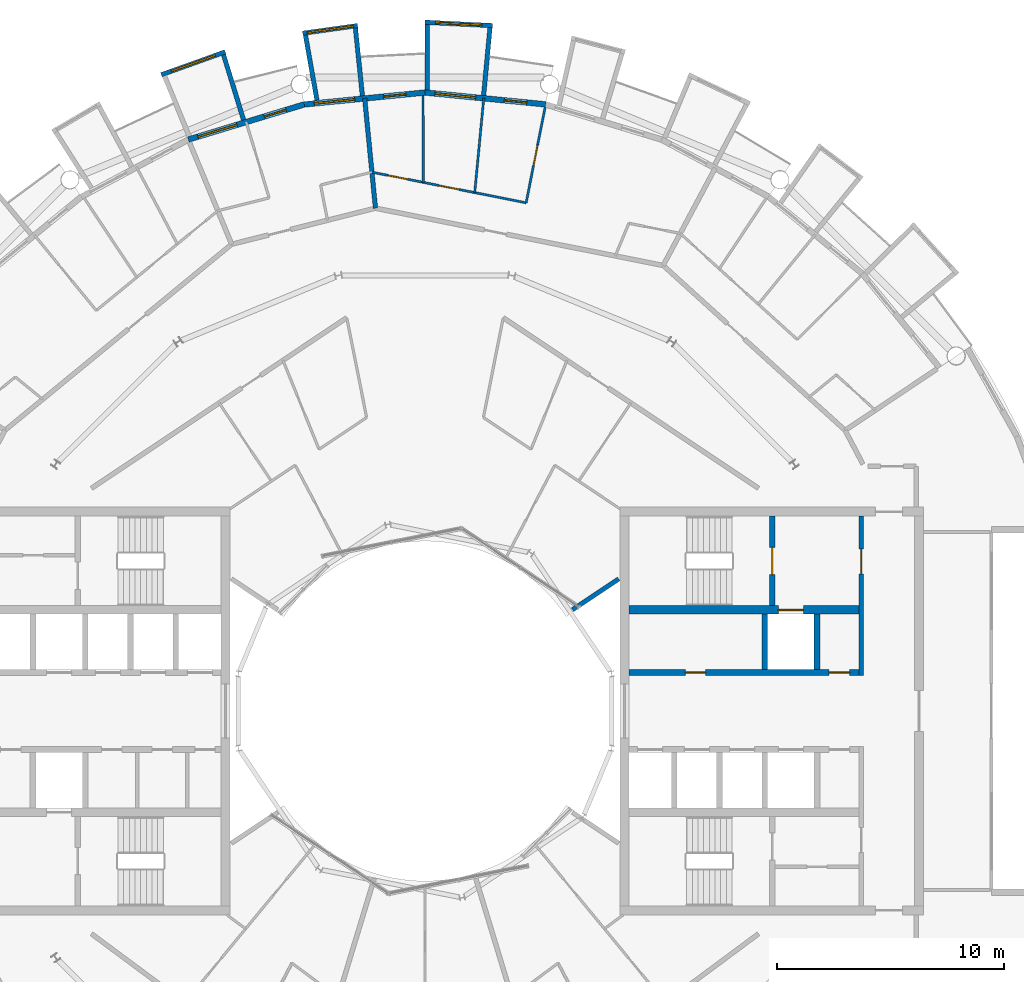
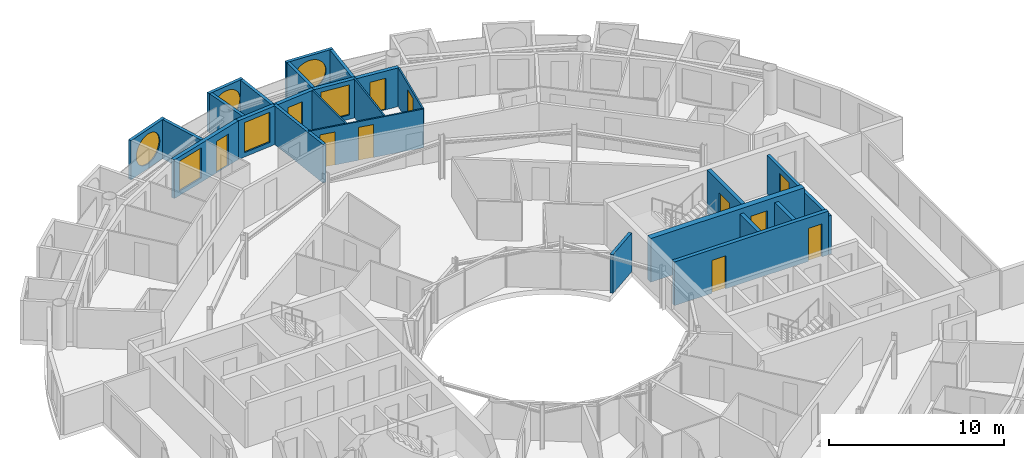
# One storey, part 22 of 28: 23 walls, 11 doors, 6 windows, 17 openings.
"""IFC4 building model written with IfcOpenShell, lengths in metres."""

from ifc_helpers import new_model, si_unit, direction, frame, frame_2d, origin, place, context, subcontext, project, spatial, rectangle, circle, extrude, material, layer, layer_set, type_object, element, fill, save


model = new_model("IFC4")

# Units and contexts
model_context = context("Model", 3, precision=1e-05, world=origin(), true_north=direction((0.0, 1.0)))
body_context = subcontext(model_context, "Body", "Model", "MODEL_VIEW")
ifc_project = project(units=[si_unit("LENGTHUNIT", "METRE"), si_unit("AREAUNIT", "SQUARE_METRE"), si_unit("VOLUMEUNIT", "CUBIC_METRE"), si_unit("PLANEANGLEUNIT", "RADIAN"), si_unit("MASSUNIT", "GRAM", prefix="KILO")], contexts=[model_context])

# Site, building, storey
site_placement = place(None, origin())
site = spatial("IfcSite", under=ifc_project, at=site_placement, CompositionType="ELEMENT")
building_placement = place(site_placement, origin())
building = spatial("IfcBuilding", under=site, at=building_placement, Name="Maasbend Ring Residences", CompositionType="ELEMENT")
storey_placement = place(building_placement, frame((0.0, 0.0, 227.949951171875)))
storey = spatial("IfcBuildingStorey", under=building, at=storey_placement, Name="L65", CompositionType="ELEMENT", Elevation=227.949951171875)

# Wall, openings, doors
ifc_material_1 = material(Name="Concrete C50/60", Category="concrete")
ifc_layer_1 = layer(ifc_material_1, 0.25)
ifc_layer_set_1 = layer_set([ifc_layer_1], Name="Concrete C50/60")
wall_type_1 = type_object("IfcWallType", Name="CORE WALL 250 C50/60", PredefinedType="SHEAR", material=ifc_layer_set_1)
wall_1_placement = place(storey_placement, frame((9.0, 1.699951171875, 0.0), z_axis=(0.0, 0.0, 1.0), x_axis=(1.0, 0.0, 0.0)))
wall_1 = element("IfcWall", 1, at=wall_1_placement, inside=storey, type_object=wall_type_1, Name="L65 core E wall SPN", PredefinedType="SHEAR", context=body_context, shape_type="SweptSolid", body=[
    extrude(rectangle(XDim=10.14990234375, YDim=0.25, at=frame_2d((5.074951171875, 0.0))), origin(), (0.0, 0.0, 1.0), 3.050048828125),
])
opening_1_placement = place(wall_1_placement, frame((2.487548828125, 0.0, 0.0)))
opening_1 = element("IfcOpeningElement", 2, at=opening_1_placement, cuts=wall_1, Name="Opening D-E6506", PredefinedType="OPENING", context=body_context, shape_type="SweptSolid", body=[
    extrude(rectangle(XDim=0.89990234375, YDim=2.300048828125, at=frame_2d((0.449951171875, 1.14990234375))), frame((0.0, 0.135009765625, 0.0), z_axis=(0.0, -1.0, 0.0), x_axis=(1.0, 0.0, 0.0)), (0.0, 0.0, 1.0), 0.27001953125),
])
opening_2_placement = place(wall_1_placement, frame((8.83740234375, 0.0, 0.0)))
opening_2 = element("IfcOpeningElement", 3, at=opening_2_placement, cuts=wall_1, Name="Opening D-E6507", PredefinedType="OPENING", context=body_context, shape_type="SweptSolid", body=[
    extrude(rectangle(XDim=0.89990234375, YDim=2.300048828125, at=frame_2d((0.449951171875, 1.14990234375))), frame((0.0, 0.135009765625, 0.0), z_axis=(0.0, -1.0, 0.0), x_axis=(1.0, 0.0, 0.0)), (0.0, 0.0, 1.0), 0.27001953125),
])
ifc_material_2 = material(Name="Steel, powder coated", Category="steel")
door_type_1 = type_object("IfcDoorType", Name="ROOM DOOR 900 X 2300 FD30S", OperationType="NOTDEFINED", PredefinedType="DOOR", material=ifc_material_2)
door_1_placement = place(opening_1_placement, origin())
door_1 = element("IfcDoor", 4, at=door_1_placement, inside=storey, type_object=door_type_1, Name="Room door L65", OperationType="SINGLE_SWING_RIGHT", OverallHeight=2.300048828125, OverallWidth=0.89990234375, PredefinedType="DOOR", context=body_context, shape_type="SweptSolid", body=[
    extrude(rectangle(XDim=0.89990234375, YDim=2.300048828125, at=frame_2d((0.449951171875, 1.14990234375))), frame((0.0, 0.02490234375, 0.0), z_axis=(0.0, -1.0, 0.0), x_axis=(1.0, 0.0, 0.0)), (0.0, 0.0, 1.0), 0.050048828125),
])
fill(opening_1, door_1)
door_2_placement = place(opening_2_placement, origin())
door_2 = element("IfcDoor", 5, at=door_2_placement, inside=storey, type_object=door_type_1, Name="Room door L65", OperationType="SINGLE_SWING_LEFT", OverallHeight=2.300048828125, OverallWidth=0.89990234375, PredefinedType="DOOR", context=body_context, shape_type="SweptSolid", body=[
    extrude(rectangle(XDim=0.89990234375, YDim=2.300048828125, at=frame_2d((0.449951171875, 1.14990234375))), frame((0.0, 0.02490234375, 0.0), z_axis=(0.0, -1.0, 0.0), x_axis=(1.0, 0.0, 0.0)), (0.0, 0.0, 1.0), 0.050048828125),
])
fill(opening_2, door_2)

# Wall, opening, door
wall_2_placement = place(storey_placement, frame((15.324951171875, 4.64990234375, 0.0), z_axis=(0.0, 0.0, 1.0), x_axis=(0.0, 1.0, 0.0)))
wall_2 = element("IfcWall", 6, at=wall_2_placement, inside=storey, type_object=wall_type_1, Name="L65 core E wall STEN", PredefinedType="SHEAR", context=body_context, shape_type="SweptSolid", body=[
    extrude(rectangle(XDim=3.9501953125, YDim=0.25, at=frame_2d((1.97509765625, 0.0))), origin(), (0.0, 0.0, 1.0), 3.050048828125),
])
opening_3_placement = place(wall_2_placement, frame((1.375, 0.0, 0.0)))
opening_3 = element("IfcOpeningElement", 7, at=opening_3_placement, cuts=wall_2, Name="Opening D-E6510", PredefinedType="OPENING", context=body_context, shape_type="SweptSolid", body=[
    extrude(rectangle(XDim=1.199951171875, YDim=2.300048828125, at=frame_2d((0.60009765625, 1.14990234375))), frame((0.0, 0.135009765625, 0.0), z_axis=(0.0, -1.0, 0.0), x_axis=(1.0, 0.0, 0.0)), (0.0, 0.0, 1.0), 0.27001953125),
])
ifc_material_3 = material(Name="Steel, powder coated", Category="steel")
door_type_2 = type_object("IfcDoorType", Name="STAIR DOOR 1200 X 2300 FD60", OperationType="NOTDEFINED", PredefinedType="DOOR", material=ifc_material_3)
door_3_placement = place(opening_3_placement, origin())
door_3 = element("IfcDoor", 8, at=door_3_placement, inside=storey, type_object=door_type_2, Name="Stair door ST-E L65", OperationType="SINGLE_SWING_LEFT", OverallHeight=2.300048828125, OverallWidth=1.199951171875, PredefinedType="DOOR", context=body_context, shape_type="SweptSolid", body=[
    extrude(rectangle(XDim=1.199951171875, YDim=2.300048828125, at=frame_2d((0.60009765625, 1.14990234375))), frame((0.0, 0.02490234375, 0.0), z_axis=(0.0, -1.0, 0.0), x_axis=(1.0, 0.0, 0.0)), (0.0, 0.0, 1.0), 0.050048828125),
])
fill(opening_3, door_3)

ifc_material_4 = material(Name="Concrete C50/60", Category="concrete")
ifc_layer_2 = layer(ifc_material_4, 0.375)
ifc_layer_set_2 = layer_set([ifc_layer_2], Name="Concrete C50/60")
wall_type_2 = type_object("IfcWallType", Name="CORE WALL 375 C50/60", PredefinedType="SHEAR", material=ifc_layer_set_2)
wall_3_placement = place(storey_placement, frame((9.0, 4.46240234375, 0.0), z_axis=(0.0, 0.0, 1.0), x_axis=(1.0, 0.0, 0.0)))
wall_3 = element("IfcWall", 9, at=wall_3_placement, inside=storey, type_object=wall_type_2, Name="L65 core E wall BN", PredefinedType="SHEAR", context=body_context, shape_type="SweptSolid", body=[
    extrude(rectangle(XDim=10.14990234375, YDim=0.375, at=frame_2d((5.074951171875, 0.0))), origin(), (0.0, 0.0, 1.0), 3.050048828125),
])
opening_4_placement = place(wall_3_placement, frame((6.60009765625, 0.0, 0.0)))
opening_4 = element("IfcOpeningElement", 10, at=opening_4_placement, cuts=wall_3, Name="Opening LD-E6501", PredefinedType="OPENING", context=body_context, shape_type="SweptSolid", body=[
    extrude(rectangle(XDim=1.10009765625, YDim=2.300048828125, at=frame_2d((0.550048828125, 1.14990234375))), frame((0.0, 0.197509765625, 0.0), z_axis=(0.0, -1.0, 0.0), x_axis=(1.0, 0.0, 0.0)), (0.0, 0.0, 1.0), 0.39501953125),
])
ifc_material_5 = material(Name="Stainless steel 316", Category="steel")
door_type_3 = type_object("IfcDoorType", Name="LANDING DOOR 1100 X 2300 FD60", OperationType="DOUBLE_DOOR_SLIDING", PredefinedType="DOOR", material=ifc_material_5)
door_4_placement = place(opening_4_placement, origin())
door_4 = element("IfcDoor", 11, at=door_4_placement, inside=storey, type_object=door_type_3, Name="Landing door FF-E L65", OperationType="DOUBLE_DOOR_SLIDING", OverallHeight=2.300048828125, OverallWidth=1.10009765625, PredefinedType="DOOR", context=body_context, shape_type="SweptSolid", body=[
    extrude(rectangle(XDim=1.10009765625, YDim=2.300048828125, at=frame_2d((0.550048828125, 1.14990234375))), frame((0.0, 0.02490234375, 0.0), z_axis=(0.0, -1.0, 0.0), x_axis=(1.0, 0.0, 0.0)), (0.0, 0.0, 1.0), 0.050048828125),
])
fill(opening_4, door_4)

# Wall, opening, window
ifc_material_6 = material(Name="Pale anodised aluminium panel", Category="aluminium")
ifc_layer_3 = layer(ifc_material_6, 0.199951171875)
ifc_layer_set_3 = layer_set([ifc_layer_3], Name="EW-BOX")
wall_type_3 = type_object("IfcWallType", Name="EW-BOX", PredefinedType="SOLIDWALL", material=ifc_layer_set_3)
wall_4_placement = place(storey_placement, frame((2.985107421875, 30.2529296875, -0.030029296875), z_axis=(0.0, 0.0, 1.0), x_axis=(-0.998794083011, 0.049095618353, 0.0)))
wall_4 = element("IfcWall", 12, at=wall_4_placement, inside=storey, type_object=wall_type_3, Name="Box front N10", PredefinedType="SOLIDWALL", context=body_context, shape_type="SweptSolid", body=[
    extrude(rectangle(XDim=2.99365234375, YDim=0.199951171875, at=frame_2d((1.496826171875, 0.0))), origin(), (0.0, 0.0, 1.0), 2.72998046875),
])
opening_5_placement = place(wall_4_placement, frame((0.45654296875, 0.0, 0.330078125)))
opening_5 = element("IfcOpeningElement", 13, at=opening_5_placement, cuts=wall_4, Name="Opening W-RD", PredefinedType="OPENING", context=body_context, shape_type="SweptSolid", body=[
    extrude(circle(Radius=1.0400390625, at=frame_2d((1.0400390625, 1.0400390625))), frame((0.0, 0.10986328125, 0.0), z_axis=(0.0, -1.0, 0.0), x_axis=(1.0, 0.0, 0.0)), (0.0, 0.0, 1.0), 0.219970703125),
])
ifc_material_7 = material(Name="Aluminium and clear glass", Category="aluminium")
window_type_1 = type_object("IfcWindowType", Name="W-RD", PartitioningType="SINGLE_PANEL", PredefinedType="WINDOW", material=ifc_material_7)
window_1_placement = place(opening_5_placement, origin())
window_1 = element("IfcWindow", 14, at=window_1_placement, inside=storey, type_object=window_type_1, Name="Round window N10", OverallHeight=2.080078125, OverallWidth=2.080078125, PartitioningType="SINGLE_PANEL", PredefinedType="WINDOW", context=body_context, shape_type="SweptSolid", body=[
    extrude(circle(Radius=1.0400390625, at=frame_2d((1.0400390625, 1.0400390625))), frame((0.0, 0.030029296875, 0.0), z_axis=(0.0, -1.0, 0.0), x_axis=(1.0, 0.0, 0.0)), (0.0, 0.0, 1.0), 0.06005859375),
])
fill(opening_5, window_1)

# Walls
wall_5_placement = place(storey_placement, frame((2.5859375, 27.1708984375, -0.030029296875), z_axis=(0.0, 0.0, 1.0), x_axis=(0.094548432284, 0.995520262954, 0.0)))
element("IfcWall", 15, at=wall_5_placement, inside=storey, type_object=wall_type_3, Name="Box side wall N10 left", PredefinedType="SOLIDWALL", context=body_context, shape_type="SweptSolid", body=[
    extrude(rectangle(XDim=3.005615234375, YDim=0.199951171875, at=frame_2d((1.5029296875, 0.0))), origin(), (0.0, 0.0, 1.0), 2.72998046875),
])
wall_6_placement = place(storey_placement, frame((0.090087890625, 27.4169921875, -0.030029296875), z_axis=(0.0, 0.0, 1.0), x_axis=(0.00347308367, 0.999993968827, 0.0)))
element("IfcWall", 16, at=wall_6_placement, inside=storey, type_object=wall_type_3, Name="Box side wall N10 right", PredefinedType="SOLIDWALL", context=body_context, shape_type="SweptSolid", body=[
    extrude(rectangle(XDim=2.882080078125, YDim=0.199951171875, at=frame_2d((1.44091796875, 0.0))), origin(), (0.0, 0.0, 1.0), 2.72998046875),
])

# Wall, opening, window
wall_7_placement = place(storey_placement, frame((-2.97607421875, 30.25390625, -0.030029296875), z_axis=(0.0, 0.0, 1.0), x_axis=(-0.990462016113, -0.137786046596, 0.0)))
wall_7 = element("IfcWall", 17, at=wall_7_placement, inside=storey, type_object=wall_type_3, Name="Box front N12", PredefinedType="SOLIDWALL", context=body_context, shape_type="SweptSolid", body=[
    extrude(rectangle(XDim=2.4453125, YDim=0.199951171875, at=frame_2d((1.22265625, 0.0))), origin(), (0.0, 0.0, 1.0), 2.72998046875),
])
opening_6_placement = place(wall_7_placement, frame((0.182861328125, 0.0, 0.330078125)))
opening_6 = element("IfcOpeningElement", 18, at=opening_6_placement, cuts=wall_7, Name="Opening W-RD", PredefinedType="OPENING", context=body_context, shape_type="SweptSolid", body=[
    extrude(circle(Radius=1.0400390625, at=frame_2d((1.0400390625, 1.0400390625))), frame((0.0, 0.10986328125, 0.0), z_axis=(0.0, -1.0, 0.0), x_axis=(1.0, 0.0, 0.0)), (0.0, 0.0, 1.0), 0.219970703125),
])
window_2_placement = place(opening_6_placement, origin())
window_2 = element("IfcWindow", 19, at=window_2_placement, inside=storey, type_object=window_type_1, Name="Round window N12", OverallHeight=2.080078125, OverallWidth=2.080078125, PartitioningType="SINGLE_PANEL", PredefinedType="WINDOW", context=body_context, shape_type="SweptSolid", body=[
    extrude(circle(Radius=1.0400390625, at=frame_2d((1.0400390625, 1.0400390625))), frame((0.0, 0.030029296875, 0.0), z_axis=(0.0, -1.0, 0.0), x_axis=(1.0, 0.0, 0.0)), (0.0, 0.0, 1.0), 0.06005859375),
])
fill(opening_6, window_2)

# Walls
wall_8_placement = place(storey_placement, frame((-2.763916015625, 27.153076171875, -0.030029296875), z_axis=(0.0, 0.0, 1.0), x_axis=(-0.101505487237, 0.994834979311, 0.0)))
element("IfcWall", 20, at=wall_8_placement, inside=storey, type_object=wall_type_3, Name="Box side wall N12 left", PredefinedType="SOLIDWALL", context=body_context, shape_type="SweptSolid", body=[
    extrude(rectangle(XDim=3.006591796875, YDim=0.199951171875, at=frame_2d((1.50341796875, 0.0))), origin(), (0.0, 0.0, 1.0), 2.72998046875),
])
wall_9_placement = place(storey_placement, frame((-4.76904296875, 26.9560546875, -0.030029296875), z_axis=(0.0, 0.0, 1.0), x_axis=(-0.174056778901, 0.984735618183, 0.0)))
element("IfcWall", 21, at=wall_9_placement, inside=storey, type_object=wall_type_3, Name="Box side wall N12 right", PredefinedType="SOLIDWALL", context=body_context, shape_type="SweptSolid", body=[
    extrude(rectangle(XDim=2.924560546875, YDim=0.199951171875, at=frame_2d((1.46240234375, 0.0))), origin(), (0.0, 0.0, 1.0), 2.72998046875),
])

# Wall, opening, window
wall_10_placement = place(storey_placement, frame((-8.820068359375, 29.093017578125, -0.030029296875), z_axis=(0.0, 0.0, 1.0), x_axis=(-0.941461077774, -0.337121697664, 0.0)))
wall_10 = element("IfcWall", 22, at=wall_10_placement, inside=storey, type_object=wall_type_3, Name="Box front N14", PredefinedType="SOLIDWALL", context=body_context, shape_type="SweptSolid", body=[
    extrude(rectangle(XDim=2.9931640625, YDim=0.199951171875, at=frame_2d((1.49658203125, 0.0))), origin(), (0.0, 0.0, 1.0), 2.72998046875),
])
opening_7_placement = place(wall_10_placement, frame((0.45654296875, 0.0, 0.330078125)))
opening_7 = element("IfcOpeningElement", 23, at=opening_7_placement, cuts=wall_10, Name="Opening W-RD", PredefinedType="OPENING", context=body_context, shape_type="SweptSolid", body=[
    extrude(circle(Radius=1.0400390625, at=frame_2d((1.0400390625, 1.0400390625))), frame((0.0, 0.10986328125, 0.0), z_axis=(0.0, -1.0, 0.0), x_axis=(1.0, 0.0, 0.0)), (0.0, 0.0, 1.0), 0.219970703125),
])
window_3_placement = place(opening_7_placement, origin())
window_3 = element("IfcWindow", 24, at=window_3_placement, inside=storey, type_object=window_type_1, Name="Round window N14", OverallHeight=2.080078125, OverallWidth=2.080078125, PartitioningType="SINGLE_PANEL", PredefinedType="WINDOW", context=body_context, shape_type="SweptSolid", body=[
    extrude(circle(Radius=1.0400390625, at=frame_2d((1.0400390625, 1.0400390625))), frame((0.0, 0.030029296875, 0.0), z_axis=(0.0, -1.0, 0.0), x_axis=(1.0, 0.0, 0.0)), (0.0, 0.0, 1.0), 0.06005859375),
])
fill(opening_7, window_3)

# Wall
wall_11_placement = place(storey_placement, frame((-8.009033203125, 26.092041015625, -0.030029296875), z_axis=(0.0, 0.0, 1.0), x_axis=(-0.293406695073, 0.955987715029, 0.0)))
element("IfcWall", 25, at=wall_11_placement, inside=storey, type_object=wall_type_3, Name="Box side wall N14 left", PredefinedType="SOLIDWALL", context=body_context, shape_type="SweptSolid", body=[
    extrude(rectangle(XDim=3.00634765625, YDim=0.199951171875, at=frame_2d((1.503173828125, 0.0))), origin(), (0.0, 0.0, 1.0), 2.72998046875),
])

# Wall, openings, door, window
ifc_material_8 = material(Name="Aluminium clad insulated panel", Category="aluminium")
ifc_layer_4 = layer(ifc_material_8, 0.25)
ifc_layer_set_4 = layer_set([ifc_layer_4], Name="EW-GL")
wall_type_4 = type_object("IfcWallType", Name="EW-GL", PredefinedType="SOLIDWALL", material=ifc_layer_set_4)
wall_12_placement = place(storey_placement, frame((5.325927734375, 26.77490234375, 0.0), z_axis=(0.0, 0.0, 1.0), x_axis=(-0.995173996315, 0.098126026407, 0.0)))
wall_12 = element("IfcWall", 26, at=wall_12_placement, inside=storey, type_object=wall_type_4, Name="External wall N05", PredefinedType="SOLIDWALL", context=body_context, shape_type="SweptSolid", body=[
    extrude(rectangle(XDim=5.351806640625, YDim=0.25, at=frame_2d((2.67578125, 0.0))), origin(), (0.0, 0.0, 1.0), 2.699951171875),
])
opening_8_placement = place(wall_12_placement, frame((0.841064453125, 0.0, 0.0)))
opening_8 = element("IfcOpeningElement", 27, at=opening_8_placement, cuts=wall_12, Name="Opening D-LG", PredefinedType="OPENING", context=body_context, shape_type="SweptSolid", body=[
    extrude(rectangle(XDim=1.0, YDim=2.199951171875, at=frame_2d((0.5, 1.10009765625))), frame((0.0, 0.135009765625, 0.0), z_axis=(0.0, -1.0, 0.0), x_axis=(1.0, 0.0, 0.0)), (0.0, 0.0, 1.0), 0.27001953125),
])
opening_9_placement = place(wall_12_placement, frame((3.110595703125, 0.0, 0.300048828125)))
opening_9 = element("IfcOpeningElement", 28, at=opening_9_placement, cuts=wall_12, Name="Opening W-BX", PredefinedType="OPENING", context=body_context, shape_type="SweptSolid", body=[
    extrude(rectangle(XDim=1.800048828125, YDim=2.10009765625, at=frame_2d((0.89990234375, 1.050048828125))), frame((0.0, 0.135009765625, 0.0), z_axis=(0.0, -1.0, 0.0), x_axis=(1.0, 0.0, 0.0)), (0.0, 0.0, 1.0), 0.27001953125),
])
ifc_material_9 = material(Name="Aluminium and clear glass", Category="aluminium")
door_type_4 = type_object("IfcDoorType", Name="D-LG", OperationType="SINGLE_SWING_LEFT", PredefinedType="DOOR", material=ifc_material_9)
door_5_placement = place(opening_8_placement, origin())
door_5 = element("IfcDoor", 29, at=door_5_placement, inside=storey, type_object=door_type_4, Name="Loggia door N09", OperationType="SINGLE_SWING_LEFT", OverallHeight=2.199951171875, OverallWidth=1.0, PredefinedType="DOOR", context=body_context, shape_type="SweptSolid", body=[
    extrude(rectangle(XDim=1.0, YDim=2.199951171875, at=frame_2d((0.5, 1.10009765625))), frame((0.0, 0.02490234375, 0.0), z_axis=(0.0, -1.0, 0.0), x_axis=(1.0, 0.0, 0.0)), (0.0, 0.0, 1.0), 0.050048828125),
])
fill(opening_8, door_5)
ifc_material_10 = material(Name="Aluminium and clear glass", Category="aluminium")
window_type_2 = type_object("IfcWindowType", Name="W-BX", PartitioningType="DOUBLE_PANEL_VERTICAL", PredefinedType="WINDOW", material=ifc_material_10)
window_4_placement = place(opening_9_placement, origin())
window_4 = element("IfcWindow", 30, at=window_4_placement, inside=storey, type_object=window_type_2, Name="Window N10 room to box", OverallHeight=2.10009765625, OverallWidth=1.800048828125, PartitioningType="SINGLE_PANEL", PredefinedType="WINDOW", context=body_context, shape_type="SweptSolid", body=[
    extrude(rectangle(XDim=1.800048828125, YDim=2.10009765625, at=frame_2d((0.89990234375, 1.050048828125))), frame((0.0, 0.030029296875, 0.0), z_axis=(0.0, -1.0, 0.0), x_axis=(1.0, 0.0, 0.0)), (0.0, 0.0, 1.0), 0.06005859375),
])
fill(opening_9, window_4)

wall_13_placement = place(storey_placement, frame((0.0, 27.300048828125, 0.0), z_axis=(0.0, 0.0, 1.0), x_axis=(-0.995173996315, -0.098126026407, 0.0)))
wall_13 = element("IfcWall", 31, at=wall_13_placement, inside=storey, type_object=wall_type_4, Name="External wall N06", PredefinedType="SOLIDWALL", context=body_context, shape_type="SweptSolid", body=[
    extrude(rectangle(XDim=5.351806640625, YDim=0.25, at=frame_2d((2.67578125, 0.0))), origin(), (0.0, 0.0, 1.0), 2.699951171875),
])
opening_10_placement = place(wall_13_placement, frame((0.841064453125, 0.0, 0.0)))
opening_10 = element("IfcOpeningElement", 32, at=opening_10_placement, cuts=wall_13, Name="Opening D-LG", PredefinedType="OPENING", context=body_context, shape_type="SweptSolid", body=[
    extrude(rectangle(XDim=1.0, YDim=2.199951171875, at=frame_2d((0.5, 1.10009765625))), frame((0.0, 0.135009765625, 0.0), z_axis=(0.0, -1.0, 0.0), x_axis=(1.0, 0.0, 0.0)), (0.0, 0.0, 1.0), 0.27001953125),
])
opening_11_placement = place(wall_13_placement, frame((3.110595703125, 0.0, 0.300048828125)))
opening_11 = element("IfcOpeningElement", 33, at=opening_11_placement, cuts=wall_13, Name="Opening W-BX", PredefinedType="OPENING", context=body_context, shape_type="SweptSolid", body=[
    extrude(rectangle(XDim=1.800048828125, YDim=2.10009765625, at=frame_2d((0.89990234375, 1.050048828125))), frame((0.0, 0.135009765625, 0.0), z_axis=(0.0, -1.0, 0.0), x_axis=(1.0, 0.0, 0.0)), (0.0, 0.0, 1.0), 0.27001953125),
])
door_6_placement = place(opening_10_placement, origin())
door_6 = element("IfcDoor", 34, at=door_6_placement, inside=storey, type_object=door_type_4, Name="Loggia door N11", OperationType="SINGLE_SWING_LEFT", OverallHeight=2.199951171875, OverallWidth=1.0, PredefinedType="DOOR", context=body_context, shape_type="SweptSolid", body=[
    extrude(rectangle(XDim=1.0, YDim=2.199951171875, at=frame_2d((0.5, 1.10009765625))), frame((0.0, 0.02490234375, 0.0), z_axis=(0.0, -1.0, 0.0), x_axis=(1.0, 0.0, 0.0)), (0.0, 0.0, 1.0), 0.050048828125),
])
fill(opening_10, door_6)
window_5_placement = place(opening_11_placement, origin())
window_5 = element("IfcWindow", 35, at=window_5_placement, inside=storey, type_object=window_type_2, Name="Window N12 room to box", OverallHeight=2.10009765625, OverallWidth=1.800048828125, PartitioningType="SINGLE_PANEL", PredefinedType="WINDOW", context=body_context, shape_type="SweptSolid", body=[
    extrude(rectangle(XDim=1.800048828125, YDim=2.10009765625, at=frame_2d((0.89990234375, 1.050048828125))), frame((0.0, 0.030029296875, 0.0), z_axis=(0.0, -1.0, 0.0), x_axis=(1.0, 0.0, 0.0)), (0.0, 0.0, 1.0), 0.06005859375),
])
fill(opening_11, window_5)

wall_14_placement = place(storey_placement, frame((-5.325927734375, 26.77490234375, 0.0), z_axis=(0.0, 0.0, 1.0), x_axis=(-0.956965678721, -0.290201119486, 0.0)))
wall_14 = element("IfcWall", 36, at=wall_14_placement, inside=storey, type_object=wall_type_4, Name="External wall N07", PredefinedType="SOLIDWALL", context=body_context, shape_type="SweptSolid", body=[
    extrude(rectangle(XDim=5.351318359375, YDim=0.25, at=frame_2d((2.67578125, 0.0))), origin(), (0.0, 0.0, 1.0), 2.699951171875),
])
opening_12_placement = place(wall_14_placement, frame((0.841064453125, 0.0, 0.0)))
opening_12 = element("IfcOpeningElement", 37, at=opening_12_placement, cuts=wall_14, Name="Opening D-LG", PredefinedType="OPENING", context=body_context, shape_type="SweptSolid", body=[
    extrude(rectangle(XDim=1.0, YDim=2.199951171875, at=frame_2d((0.5, 1.10009765625))), frame((0.0, 0.135009765625, 0.0), z_axis=(0.0, -1.0, 0.0), x_axis=(1.0, 0.0, 0.0)), (0.0, 0.0, 1.0), 0.27001953125),
])
opening_13_placement = place(wall_14_placement, frame((3.110595703125, 0.0, 0.300048828125)))
opening_13 = element("IfcOpeningElement", 38, at=opening_13_placement, cuts=wall_14, Name="Opening W-BX", PredefinedType="OPENING", context=body_context, shape_type="SweptSolid", body=[
    extrude(rectangle(XDim=1.800048828125, YDim=2.10009765625, at=frame_2d((0.89990234375, 1.050048828125))), frame((0.0, 0.135009765625, 0.0), z_axis=(0.0, -1.0, 0.0), x_axis=(1.0, 0.0, 0.0)), (0.0, 0.0, 1.0), 0.27001953125),
])
door_7_placement = place(opening_12_placement, origin())
door_7 = element("IfcDoor", 39, at=door_7_placement, inside=storey, type_object=door_type_4, Name="Loggia door N13", OperationType="SINGLE_SWING_LEFT", OverallHeight=2.199951171875, OverallWidth=1.0, PredefinedType="DOOR", context=body_context, shape_type="SweptSolid", body=[
    extrude(rectangle(XDim=1.0, YDim=2.199951171875, at=frame_2d((0.5, 1.10009765625))), frame((0.0, 0.02490234375, 0.0), z_axis=(0.0, -1.0, 0.0), x_axis=(1.0, 0.0, 0.0)), (0.0, 0.0, 1.0), 0.050048828125),
])
fill(opening_12, door_7)
window_6_placement = place(opening_13_placement, origin())
window_6 = element("IfcWindow", 40, at=window_6_placement, inside=storey, type_object=window_type_2, Name="Window N14 room to box", OverallHeight=2.10009765625, OverallWidth=1.800048828125, PartitioningType="SINGLE_PANEL", PredefinedType="WINDOW", context=body_context, shape_type="SweptSolid", body=[
    extrude(rectangle(XDim=1.800048828125, YDim=2.10009765625, at=frame_2d((0.89990234375, 1.050048828125))), frame((0.0, 0.030029296875, 0.0), z_axis=(0.0, -1.0, 0.0), x_axis=(1.0, 0.0, 0.0)), (0.0, 0.0, 1.0), 0.06005859375),
])
fill(opening_13, window_6)

# Walls
ifc_material_11 = material(Name="Gypsum board on steel studs", Category="steel")
ifc_layer_5 = layer(ifc_material_11, 0.10009765625)
ifc_layer_set_5 = layer_set([ifc_layer_5], Name="PARTITION 100 GYPSUM")
wall_type_5 = type_object("IfcWallType", Name="PARTITION 100 GYPSUM", PredefinedType="PARTITIONING", material=ifc_layer_set_5)
wall_15_placement = place(storey_placement, frame((-0.073974609375, 23.333984375, 0.0), z_axis=(0.0, 0.0, 1.0), x_axis=(-0.003368696325, 0.999994325926, 0.0)))
element("IfcWall", 41, at=wall_15_placement, inside=storey, type_object=wall_type_5, Name="U-L65-w054", PredefinedType="PARTITIONING", context=body_context, shape_type="SweptSolid", body=[
    extrude(rectangle(XDim=3.841064453125, YDim=0.10009765625, at=frame_2d((1.92041015625, 0.0))), origin(), (0.0, 0.0, 1.0), 2.699951171875),
])
wall_16_placement = place(storey_placement, frame((2.194091796875, 22.883056640625, 0.0), z_axis=(0.0, 0.0, 1.0), x_axis=(0.095276864271, 0.995450812012, 0.0)))
element("IfcWall", 42, at=wall_16_placement, inside=storey, type_object=wall_type_5, Name="U-L65-w057", PredefinedType="PARTITIONING", context=body_context, shape_type="SweptSolid", body=[
    extrude(rectangle(XDim=4.18701171875, YDim=0.10009765625, at=frame_2d((2.093505859375, 0.0))), origin(), (0.0, 0.0, 1.0), 2.699951171875),
])

# Wall, opening, door
wall_17_placement = place(storey_placement, frame((4.4619140625, 22.430908203125, 0.0), z_axis=(0.0, 0.0, 1.0), x_axis=(0.195145394338, 0.98077432423, 0.0)))
wall_17 = element("IfcWall", 43, at=wall_17_placement, inside=storey, type_object=wall_type_5, Name="U-L65-w061", PredefinedType="PARTITIONING", context=body_context, shape_type="SweptSolid", body=[
    extrude(rectangle(XDim=4.304931640625, YDim=0.10009765625, at=frame_2d((2.15234375, 0.0))), origin(), (0.0, 0.0, 1.0), 2.699951171875),
])
opening_14_placement = place(wall_17_placement, frame((1.701904296875, 0.0, 0.0)))
opening_14 = element("IfcOpeningElement", 44, at=opening_14_placement, cuts=wall_17, Name="Opening D-6508", PredefinedType="OPENING", context=body_context, shape_type="SweptSolid", body=[
    extrude(rectangle(XDim=0.89990234375, YDim=2.300048828125, at=frame_2d((0.449951171875, 1.14990234375))), frame((0.0, 0.06005859375, 0.0), z_axis=(0.0, -1.0, 0.0), x_axis=(1.0, 0.0, 0.0)), (0.0, 0.0, 1.0), 0.1201171875),
])
ifc_material_12 = material(Name="Timber, painted", Category="wood")
door_type_5 = type_object("IfcDoorType", Name="INTERNAL DOOR 900 X 2300", OperationType="NOTDEFINED", PredefinedType="DOOR", material=ifc_material_12)
door_8_placement = place(opening_14_placement, origin())
door_8 = element("IfcDoor", 45, at=door_8_placement, inside=storey, type_object=door_type_5, Name="D-6508", OperationType="SINGLE_SWING_RIGHT", OverallHeight=2.300048828125, OverallWidth=0.89990234375, PredefinedType="DOOR", context=body_context, shape_type="SweptSolid", body=[
    extrude(rectangle(XDim=0.89990234375, YDim=2.300048828125, at=frame_2d((0.449951171875, 1.14990234375))), frame((0.0, 0.02490234375, 0.0), z_axis=(0.0, -1.0, 0.0), x_axis=(1.0, 0.0, 0.0)), (0.0, 0.0, 1.0), 0.050048828125),
])
fill(opening_14, door_8)

# Wall, openings, doors
wall_18_placement = place(storey_placement, frame((-2.345947265625, 23.784912109375, 0.0), z_axis=(0.0, 0.0, 1.0), x_axis=(0.98080065826, -0.195012996379, 0.0)))
wall_18 = element("IfcWall", 46, at=wall_18_placement, inside=storey, type_object=wall_type_5, Name="U-L65-w103", PredefinedType="PARTITIONING", context=body_context, shape_type="SweptSolid", body=[
    extrude(rectangle(XDim=6.938232421875, YDim=0.10009765625, at=frame_2d((3.46923828125, 0.0))), origin(), (0.0, 0.0, 1.0), 2.699951171875),
])
opening_15_placement = place(wall_18_placement, frame((3.02392578125, 0.0, 0.0)))
opening_15 = element("IfcOpeningElement", 47, at=opening_15_placement, cuts=wall_18, Name="Opening D-6509", PredefinedType="OPENING", context=body_context, shape_type="SweptSolid", body=[
    extrude(rectangle(XDim=0.89990234375, YDim=2.300048828125, at=frame_2d((0.449951171875, 1.14990234375))), frame((0.0, 0.06005859375, 0.0), z_axis=(0.0, -1.0, 0.0), x_axis=(1.0, 0.0, 0.0)), (0.0, 0.0, 1.0), 0.1201171875),
])
opening_16_placement = place(wall_18_placement, frame((0.7099609375, 0.0, 0.0)))
opening_16 = element("IfcOpeningElement", 48, at=opening_16_placement, cuts=wall_18, Name="Opening D-6510", PredefinedType="OPENING", context=body_context, shape_type="SweptSolid", body=[
    extrude(rectangle(XDim=0.89990234375, YDim=2.300048828125, at=frame_2d((0.449951171875, 1.14990234375))), frame((0.0, 0.06005859375, 0.0), z_axis=(0.0, -1.0, 0.0), x_axis=(1.0, 0.0, 0.0)), (0.0, 0.0, 1.0), 0.1201171875),
])
door_9_placement = place(opening_15_placement, origin())
door_9 = element("IfcDoor", 49, at=door_9_placement, inside=storey, type_object=door_type_5, Name="D-6509", OperationType="SINGLE_SWING_RIGHT", OverallHeight=2.300048828125, OverallWidth=0.89990234375, PredefinedType="DOOR", context=body_context, shape_type="SweptSolid", body=[
    extrude(rectangle(XDim=0.89990234375, YDim=2.300048828125, at=frame_2d((0.449951171875, 1.14990234375))), frame((0.0, 0.02490234375, 0.0), z_axis=(0.0, -1.0, 0.0), x_axis=(1.0, 0.0, 0.0)), (0.0, 0.0, 1.0), 0.050048828125),
])
fill(opening_15, door_9)
door_10_placement = place(opening_16_placement, origin())
door_10 = element("IfcDoor", 50, at=door_10_placement, inside=storey, type_object=door_type_5, Name="D-6510", OperationType="SINGLE_SWING_LEFT", OverallHeight=2.300048828125, OverallWidth=0.89990234375, PredefinedType="DOOR", context=body_context, shape_type="SweptSolid", body=[
    extrude(rectangle(XDim=0.89990234375, YDim=2.300048828125, at=frame_2d((0.449951171875, 1.14990234375))), frame((0.0, 0.02490234375, 0.0), z_axis=(0.0, -1.0, 0.0), x_axis=(1.0, 0.0, 0.0)), (0.0, 0.0, 1.0), 0.050048828125),
])
fill(opening_16, door_10)

# Walls
ifc_material_13 = material(Name="Concrete C30/37", Category="concrete")
ifc_layer_6 = layer(ifc_material_13, 0.199951171875)
ifc_layer_set_6 = layer_set([ifc_layer_6], Name="Concrete C30/37")
wall_type_6 = type_object("IfcWallType", Name="PARTY WALL 200 CONCRETE", PredefinedType="PARTITIONING", material=ifc_layer_set_6)
wall_19_placement = place(storey_placement, frame((-2.6640625, 27.0439453125, 0.0), z_axis=(0.0, 0.0, 1.0), x_axis=(0.098070432075, -0.995179476453, 0.0)))
element("IfcWall", 51, at=wall_19_placement, inside=storey, type_object=wall_type_6, Name="U-L65-w051", PredefinedType="PARTITIONING", context=body_context, shape_type="SweptSolid", body=[
    extrude(rectangle(XDim=4.874267578125, YDim=0.199951171875, at=frame_2d((2.43701171875, 0.0))), origin(), (0.0, 0.0, 1.0), 2.699951171875),
])
wall_20_placement = place(storey_placement, frame((6.512939453125, 4.471923828125, 0.0), z_axis=(0.0, 0.0, 1.0), x_axis=(0.831450132577, 0.555599385382, 0.0)))
element("IfcWall", 52, at=wall_20_placement, inside=storey, type_object=wall_type_6, Name="U-L65-w084", PredefinedType="PARTITIONING", context=body_context, shape_type="SweptSolid", body=[
    extrude(rectangle(XDim=2.442626953125, YDim=0.199951171875, at=frame_2d((1.22119140625, 0.0))), origin(), (0.0, 0.0, 1.0), 2.699951171875),
])

# Wall, opening, door
ifc_material_14 = material(Name="Concrete C30/37", Category="concrete")
ifc_layer_7 = layer(ifc_material_14, 0.199951171875)
ifc_layer_set_7 = layer_set([ifc_layer_7], Name="Concrete C30/37")
wall_type_7 = type_object("IfcWallType", Name="SHAFT WALL 200 EI 120", PredefinedType="SOLIDWALL", material=ifc_layer_set_7)
wall_21_placement = place(storey_placement, frame((19.25, 1.574951171875, 0.0), z_axis=(0.0, 0.0, 1.0), x_axis=(0.0, 1.0, 0.0)))
wall_21 = element("IfcWall", 53, at=wall_21_placement, inside=storey, type_object=wall_type_7, Name="L65 core E wall ENDN", PredefinedType="SOLIDWALL", context=body_context, shape_type="SweptSolid", body=[
    extrude(rectangle(XDim=7.025146484375, YDim=0.199951171875, at=frame_2d((3.5126953125, 0.0))), origin(), (0.0, 0.0, 1.0), 2.699951171875),
])
opening_17_placement = place(wall_21_placement, frame((4.47509765625, 0.0, 0.0)))
opening_17 = element("IfcOpeningElement", 54, at=opening_17_placement, cuts=wall_21, Name="Opening D-E6512", PredefinedType="OPENING", context=body_context, shape_type="SweptSolid", body=[
    extrude(rectangle(XDim=1.10009765625, YDim=2.300048828125, at=frame_2d((0.550048828125, 1.14990234375))), frame((0.0, 0.10986328125, 0.0), z_axis=(0.0, -1.0, 0.0), x_axis=(1.0, 0.0, 0.0)), (0.0, 0.0, 1.0), 0.219970703125),
])
ifc_material_15 = material(Name="Steel, powder coated", Category="steel")
door_type_6 = type_object("IfcDoorType", Name="LOBBY DOOR 1100 X 2300 FD60", OperationType="NOTDEFINED", PredefinedType="DOOR", material=ifc_material_15)
door_11_placement = place(opening_17_placement, origin())
door_11 = element("IfcDoor", 55, at=door_11_placement, inside=storey, type_object=door_type_6, Name="Lobby door L65", OperationType="SINGLE_SWING_LEFT", OverallHeight=2.300048828125, OverallWidth=1.10009765625, PredefinedType="DOOR", context=body_context, shape_type="SweptSolid", body=[
    extrude(rectangle(XDim=1.10009765625, YDim=2.300048828125, at=frame_2d((0.550048828125, 1.14990234375))), frame((0.0, 0.02490234375, 0.0), z_axis=(0.0, -1.0, 0.0), x_axis=(1.0, 0.0, 0.0)), (0.0, 0.0, 1.0), 0.050048828125),
])
fill(opening_17, door_11)

# Walls
ifc_material_16 = material(Name="Concrete C30/37", Category="concrete")
ifc_layer_8 = layer(ifc_material_16, 0.25)
ifc_layer_set_8 = layer_set([ifc_layer_8], Name="Concrete C30/37")
wall_type_8 = type_object("IfcWallType", Name="SHAFT WALL 250 EI 120", PredefinedType="SOLIDWALL", material=ifc_layer_set_8)
for number, where, z_axis, x_axis, name in (
    (56, (15.0, 1.824951171875, 0.0), (0.0, 0.0, 1.0), (0.0, 1.0, 0.0), "L65 core E wall D150N"),
    (57, (17.300048828125, 1.824951171875, 0.0), (0.0, 0.0, 1.0), (0.0, 1.0, 0.0), "L65 core E wall D173N"),
):
    element("IfcWall", number, at=place(storey_placement, frame(where, z_axis=z_axis, x_axis=x_axis)), inside=storey, type_object=wall_type_8, Name=name, PredefinedType="SOLIDWALL", context=body_context, shape_type="SweptSolid", body=[
        extrude(rectangle(XDim=2.449951171875, YDim=0.25, at=frame_2d((1.22509765625, 0.0))), origin(), (0.0, 0.0, 1.0), 2.699951171875),
    ])

save(model, "model.ifc")
